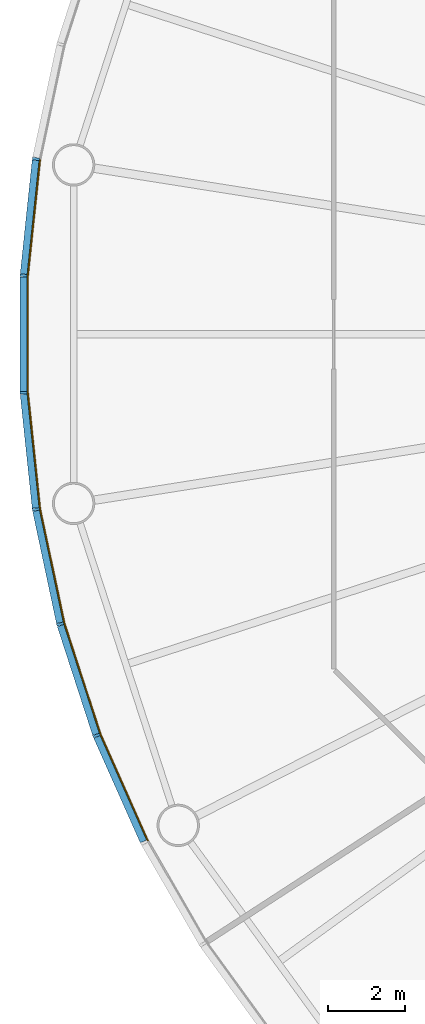
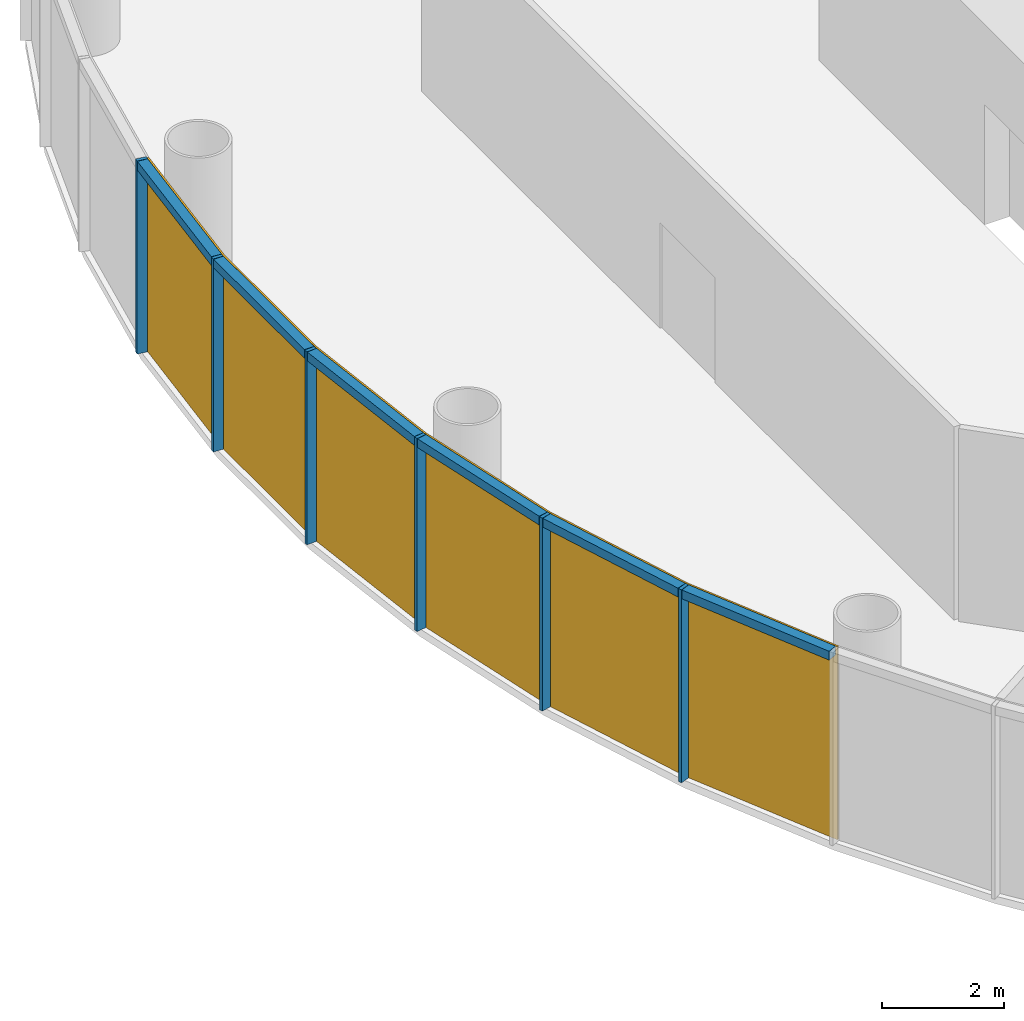
# One storey, part 8 of 13: 12 members, 2 curtain walls.
"""IFC4 building model written with IfcOpenShell, lengths in metres."""

from ifc_helpers import new_model, si_unit, direction, frame, origin, origin_2d, place, context, subcontext, project, spatial, polyline, rectangle, outline, extrude, material, layer, layer_set, material_profile, profile_set, type_object, element, aggregate, save


model = new_model("IFC4")

# Units and contexts
model_context = context("Model", 3, precision=1e-05, world=origin(), true_north=direction((0.0, 1.0)))
body_context = subcontext(model_context, "Body", "Model", "MODEL_VIEW")
ifc_project = project(units=[si_unit("LENGTHUNIT", "METRE"), si_unit("AREAUNIT", "SQUARE_METRE"), si_unit("VOLUMEUNIT", "CUBIC_METRE"), si_unit("PLANEANGLEUNIT", "RADIAN"), si_unit("MASSUNIT", "GRAM", prefix="KILO")], contexts=[model_context])

# Member
ifc_material_1 = material(Name="Anodised aluminium", Category="aluminium")
ifc_material_profile_1 = material_profile(ifc_material_1, rectangle(XDim=0.06494140625, YDim=0.18505859375, at=origin_2d()), Name="Mullion 65 x 185 mm anodised aluminium")
ifc_profile_set_1 = profile_set([ifc_material_profile_1], Name="Anodised aluminium")
member_type_1 = type_object("IfcMemberType", Name="Mullion 65 x 185 mm anodised aluminium", PredefinedType="MULLION", material=ifc_profile_set_1)
site_placement = place(None, origin())
building_placement = place(site_placement, origin())
storey_placement = place(building_placement, frame((0.0, 0.0, 156.0)))
member_1_placement = place(storey_placement, frame((61.265625, 84.551025390625, 0.0), z_axis=(0.0, 0.0, 1.0), x_axis=(-0.15643446504, -0.987688340595, 0.0)))
member_1 = element("IfcMember", 1, at=member_1_placement, type_object=member_type_1, Name="MULLION L35-27", PredefinedType="MULLION", context=body_context, shape_type="SweptSolid", body=[
    extrude(rectangle(XDim=0.06494140625, YDim=0.18505859375, at=origin_2d()), origin(), (0.0, 0.0, 1.0), 3.85009765625),
])

member_2_placement = place(storey_placement, frame((60.947265625, 81.522705078125, 0.0), z_axis=(0.0, 0.0, 1.0), x_axis=(-0.052335956243, -0.998629534755, 0.0)))
member_2 = element("IfcMember", 2, at=member_2_placement, type_object=member_type_1, Name="MULLION L35-28", PredefinedType="MULLION", context=body_context, shape_type="SweptSolid", body=[
    extrude(rectangle(XDim=0.06494140625, YDim=0.18505859375, at=origin_2d()), origin(), (0.0, 0.0, 1.0), 3.85009765625),
])

member_3_placement = place(storey_placement, frame((60.947265625, 78.477294921875, 0.0), z_axis=(0.0, 0.0, 1.0), x_axis=(0.052335956243, -0.998629534755, 0.0)))
member_3 = element("IfcMember", 3, at=member_3_placement, type_object=member_type_1, Name="MULLION L35-29", PredefinedType="MULLION", context=body_context, shape_type="SweptSolid", body=[
    extrude(rectangle(XDim=0.06494140625, YDim=0.18505859375, at=origin_2d()), origin(), (0.0, 0.0, 1.0), 3.85009765625),
])

member_4_placement = place(storey_placement, frame((61.265625, 75.448974609375, 0.0), z_axis=(0.0, 0.0, 1.0), x_axis=(0.15643446504, -0.987688340595, 0.0)))
member_4 = element("IfcMember", 4, at=member_4_placement, type_object=member_type_1, Name="MULLION L35-30", PredefinedType="MULLION", context=body_context, shape_type="SweptSolid", body=[
    extrude(rectangle(XDim=0.06494140625, YDim=0.18505859375, at=origin_2d()), origin(), (0.0, 0.0, 1.0), 3.85009765625),
])

member_5_placement = place(storey_placement, frame((61.898681640625, 72.47021484375, 0.0), z_axis=(0.0, 0.0, 1.0), x_axis=(0.258819045103, -0.965925826289, 0.0)))
member_5 = element("IfcMember", 5, at=member_5_placement, type_object=member_type_1, Name="MULLION L35-31", PredefinedType="MULLION", context=body_context, shape_type="SweptSolid", body=[
    extrude(rectangle(XDim=0.06494140625, YDim=0.18505859375, at=origin_2d()), origin(), (0.0, 0.0, 1.0), 3.85009765625),
])

member_6_placement = place(storey_placement, frame((62.83984375, 69.57421875, 0.0), z_axis=(0.0, 0.0, 1.0), x_axis=(0.358367949545, -0.933580426497, 0.0)))
member_6 = element("IfcMember", 6, at=member_6_placement, type_object=member_type_1, Name="MULLION L35-32", PredefinedType="MULLION", context=body_context, shape_type="SweptSolid", body=[
    extrude(rectangle(XDim=0.06494140625, YDim=0.18505859375, at=origin_2d()), origin(), (0.0, 0.0, 1.0), 3.85009765625),
])

ifc_material_2 = material(Name="Anodised aluminium", Category="aluminium")
ifc_material_profile_2 = material_profile(ifc_material_2, rectangle(XDim=0.18505859375, YDim=0.175048828125, at=origin_2d()), Name="Transom 175 x 185 mm anodised aluminium")
ifc_profile_set_2 = profile_set([ifc_material_profile_2], Name="Anodised aluminium")
member_type_2 = type_object("IfcMemberType", Name="Transom 175 x 185 mm anodised aluminium", PredefinedType="USERDEFINED", material=ifc_profile_set_2)
member_7_placement = place(storey_placement, frame((61.26171875, 84.513916015625, 3.762451171875), z_axis=(-0.104547872381, -0.994519855197, 0.0), x_axis=(0.994519855197, -0.104547872381, 0.0)))
member_7 = element("IfcMember", 7, at=member_7_placement, type_object=member_type_2, Name="TRANSOM L35-27", ObjectType="TRANSOM", PredefinedType="USERDEFINED", context=body_context, shape_type="SweptSolid", body=[
    extrude(rectangle(XDim=0.18505859375, YDim=0.175048828125, at=origin_2d()), origin(), (0.0, 0.0, 1.0), 2.970458984375),
])

member_8_placement = place(storey_placement, frame((60.947265625, 81.4853515625, 3.762451171875), z_axis=(0.0, -1.0, 0.0), x_axis=(1.0, 0.0, 0.0)))
member_8 = element("IfcMember", 8, at=member_8_placement, type_object=member_type_2, Name="TRANSOM L35-28", ObjectType="TRANSOM", PredefinedType="USERDEFINED", context=body_context, shape_type="SweptSolid", body=[
    extrude(rectangle(XDim=0.18505859375, YDim=0.175048828125, at=origin_2d()), origin(), (0.0, 0.0, 1.0), 2.970703125),
])

member_9_placement = place(storey_placement, frame((60.951171875, 78.440185546875, 3.762451171875), z_axis=(0.104547872381, -0.994519855197, 0.0), x_axis=(0.994519855197, 0.104547872381, 0.0)))
member_9 = element("IfcMember", 9, at=member_9_placement, type_object=member_type_2, Name="TRANSOM L35-29", ObjectType="TRANSOM", PredefinedType="USERDEFINED", context=body_context, shape_type="SweptSolid", body=[
    extrude(rectangle(XDim=0.18505859375, YDim=0.175048828125, at=origin_2d()), origin(), (0.0, 0.0, 1.0), 2.970458984375),
])

member_10_placement = place(storey_placement, frame((61.2734375, 75.412353515625, 3.762451171875), z_axis=(0.207861704825, -0.97815822425, 0.0), x_axis=(0.97815822425, 0.207861704825, 0.0)))
member_10 = element("IfcMember", 10, at=member_10_placement, type_object=member_type_2, Name="TRANSOM L35-30", ObjectType="TRANSOM", PredefinedType="USERDEFINED", context=body_context, shape_type="SweptSolid", body=[
    extrude(rectangle(XDim=0.18505859375, YDim=0.175048828125, at=origin_2d()), origin(), (0.0, 0.0, 1.0), 2.970458984375),
])

member_11_placement = place(storey_placement, frame((61.91015625, 72.434814453125, 3.762451171875), z_axis=(0.30901917063, -0.951055809184, 0.0), x_axis=(0.951055809184, 0.30901917063, 0.0)))
member_11 = element("IfcMember", 11, at=member_11_placement, type_object=member_type_2, Name="TRANSOM L35-31", ObjectType="TRANSOM", PredefinedType="USERDEFINED", context=body_context, shape_type="SweptSolid", body=[
    extrude(rectangle(XDim=0.18505859375, YDim=0.175048828125, at=origin_2d()), origin(), (0.0, 0.0, 1.0), 2.970703125),
])

member_12_placement = place(storey_placement, frame((62.85498046875, 69.5400390625, 3.762451171875), z_axis=(0.406687471156, -0.913567348806, 0.0), x_axis=(0.913567348806, 0.406687471156, 0.0)))
member_12 = element("IfcMember", 12, at=member_12_placement, type_object=member_type_2, Name="TRANSOM L35-32", ObjectType="TRANSOM", PredefinedType="USERDEFINED", context=body_context, shape_type="SweptSolid", body=[
    extrude(rectangle(XDim=0.18505859375, YDim=0.175048828125, at=origin_2d()), origin(), (0.0, 0.0, 1.0), 2.970458984375),
])

# Site, building, storey
site = spatial("IfcSite", under=ifc_project, at=site_placement, CompositionType="ELEMENT")
building = spatial("IfcBuilding", under=site, at=building_placement, Name="Entoto Ring Tower", CompositionType="ELEMENT")
storey = spatial("IfcBuildingStorey", under=building, at=storey_placement, Name="L35", CompositionType="ELEMENT", Elevation=156.0)

# Curtain wall
ifc_material_3 = material(Name="Clear low-iron glass", Category="glass")
ifc_layer = layer(ifc_material_3, 0.033935546875)
ifc_layer_set = layer_set([ifc_layer], Name="Clear low-iron glass")
curtain_wall_type = type_object("IfcCurtainWallType", Name="Curtain wall system CW3 glazing 34 mm", PredefinedType="NOTDEFINED", material=ifc_layer_set)
curtain_wall_1_placement = place(storey_placement, origin())
curtain_wall_1 = element("IfcCurtainWall", 13, at=curtain_wall_1_placement, inside=storey, type_object=curtain_wall_type, Name="CW3 L35-10", PredefinedType="NOTDEFINED", context=body_context, shape_type="SweptSolid", body=[
    extrude(outline(polyline([(61.35693359375, 84.53662109375), (61.039794921875, 81.517822265625), (61.039794921875, 78.482177734375), (61.35693359375, 75.46337890625), (61.390625, 75.46875), (61.07373046875, 78.484130859375), (61.07373046875, 81.515869140625), (61.390625, 84.53125), (61.35693359375, 84.53662109375)])), origin(), (0.0, 0.0, 1.0), 3.85009765625),
])

aggregate(curtain_wall_1, [member_1, member_2, member_3, member_7, member_8, member_9])

curtain_wall_2_placement = place(storey_placement, origin())
curtain_wall_2 = element("IfcCurtainWall", 14, at=curtain_wall_2_placement, inside=storey, type_object=curtain_wall_type, Name="CW3 L35-11", PredefinedType="NOTDEFINED", context=body_context, shape_type="SweptSolid", body=[
    extrude(outline(polyline([(61.35693359375, 75.46337890625), (61.988037109375, 72.494140625), (62.92626953125, 69.607421875), (64.160888671875, 66.834228515625), (64.191162109375, 66.849853515625), (62.9580078125, 69.61962890625), (62.02099609375, 72.503173828125), (61.390625, 75.46875), (61.35693359375, 75.46337890625)])), origin(), (0.0, 0.0, 1.0), 3.85009765625),
])

aggregate(curtain_wall_2, [member_4, member_5, member_6, member_10, member_11, member_12])

save(model, "model.ifc")
